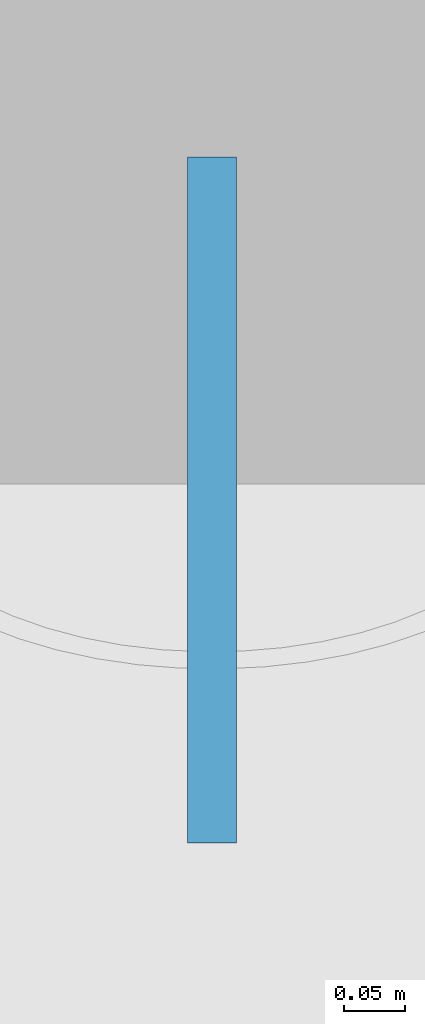
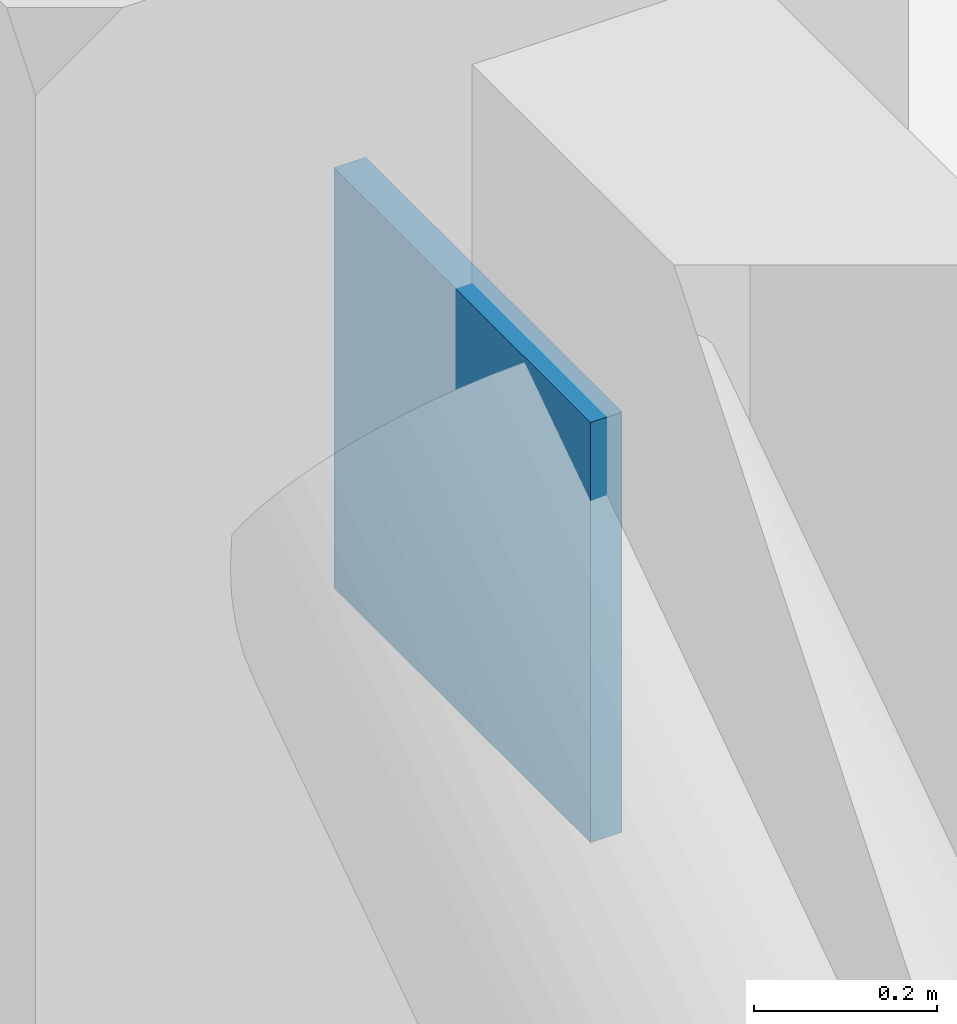
# One storey, part 10 of 16: 1 plate.
"""IFC4 building model written with IfcOpenShell, lengths in metres."""

from ifc_helpers import new_model, si_unit, direction, frame, origin, origin_2d, place, context, subcontext, project, spatial, rectangle, extrude, material, layer, layer_set, type_object, element, save


model = new_model("IFC4")

# Units and contexts
model_context = context("Model", 3, precision=1e-05, world=origin(), true_north=direction((0.0, 1.0)))
body_context = subcontext(model_context, "Body", "Model", "MODEL_VIEW")
ifc_project = project(units=[si_unit("LENGTHUNIT", "METRE"), si_unit("AREAUNIT", "SQUARE_METRE"), si_unit("VOLUMEUNIT", "CUBIC_METRE"), si_unit("PLANEANGLEUNIT", "RADIAN"), si_unit("MASSUNIT", "GRAM", prefix="KILO")], contexts=[model_context])

# Site, building, storey
site_placement = place(None, origin())
site = spatial("IfcSite", under=ifc_project, at=site_placement, CompositionType="ELEMENT")
building_placement = place(site_placement, origin())
building = spatial("IfcBuilding", under=site, at=building_placement, Name="Koriwani Terraces Tower", CompositionType="ELEMENT")
storey_placement = place(building_placement, frame((0.0, 0.0, 162.0)))
storey = spatial("IfcBuildingStorey", under=building, at=storey_placement, Name="L39", CompositionType="ELEMENT", Elevation=162.0)

# Plate
ifc_material = material(Name="Steel ASTM A572 Grade 50", Category="steel")
ifc_layer = layer(ifc_material, 0.0400390625, Name="Steel ASTM A572 Grade 50")
ifc_layer_set = layer_set([ifc_layer], Name="Steel ASTM A572 Grade 50")
plate_type = type_object("IfcPlateType", Name="STEEL_GUSSET_PLATE_40", PredefinedType="USERDEFINED", material=ifc_layer_set)
plate_placement = place(storey_placement, frame((0.0, 66.636962890625, 4.91748046875), z_axis=(0.0, 0.0, 1.0), x_axis=(0.0, 1.0, 0.0)))
element("IfcPlate", 1, at=plate_placement, inside=storey, type_object=plate_type, Name="Brace Node Gusset Plate BT-L39-BW4", ObjectType="GUSSET_PLATE", PredefinedType="USERDEFINED", context=body_context, shape_type="SweptSolid", body=[
    extrude(rectangle(XDim=0.56005859375, YDim=0.0400390625, at=origin_2d()), origin(), (0.0, 0.0, 1.0), 0.56005859375),
])

save(model, "model.ifc")
